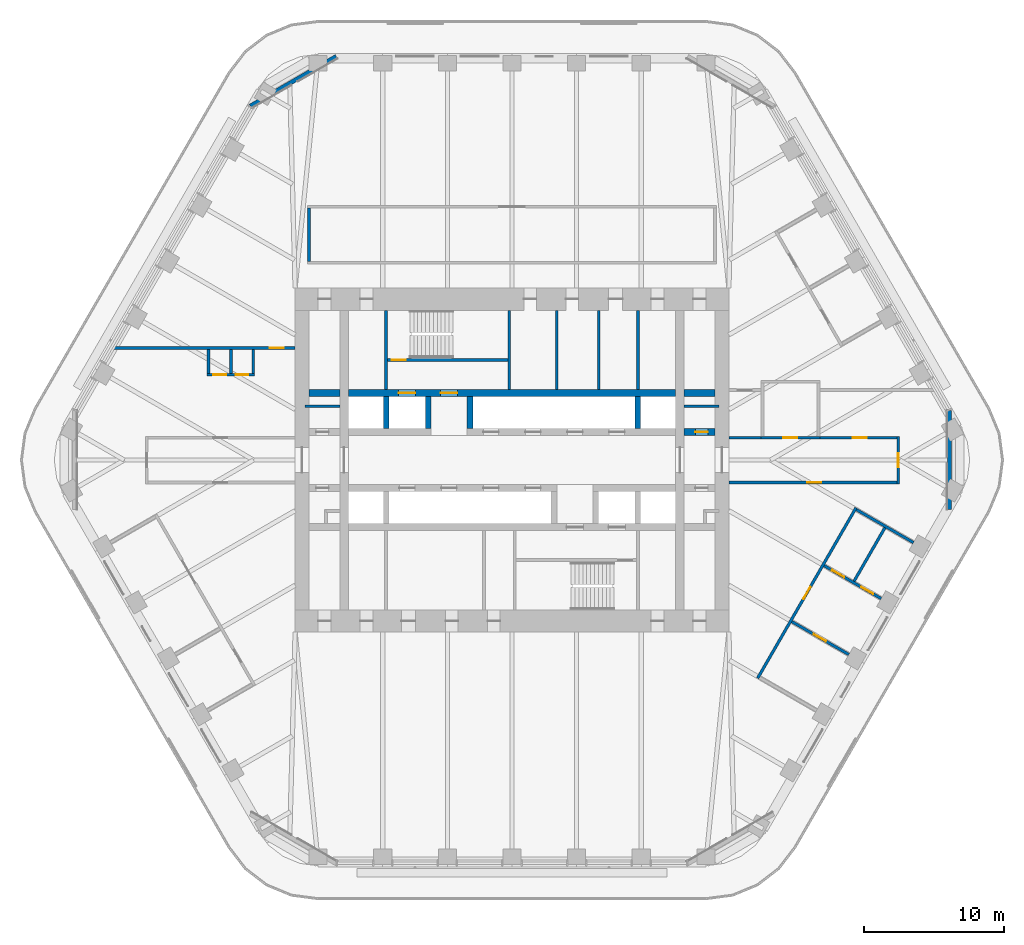
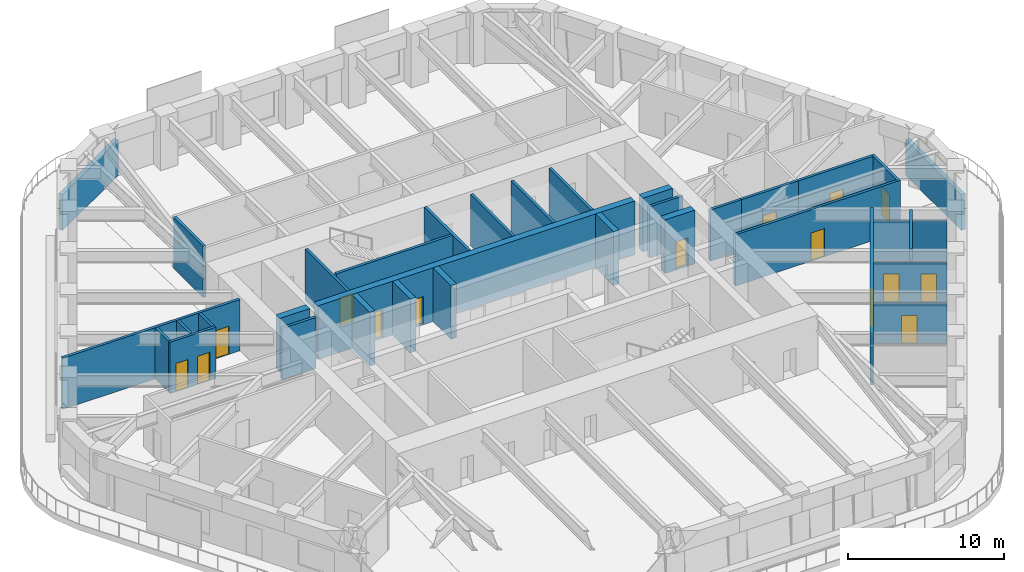
# One storey, part 16 of 20: 34 walls, 15 doors, 15 openings.
"""IFC4 building model written with IfcOpenShell, lengths in metres."""

from ifc_helpers import new_model, si_unit, direction, frame, frame_2d, origin, place, context, subcontext, project, spatial, rectangle, extrude, material, layer, layer_set, type_object, element, fill, save


model = new_model("IFC4")

# Units and contexts
model_context = context("Model", 3, precision=1e-05, world=origin(), true_north=direction((0.0, 1.0)))
body_context = subcontext(model_context, "Body", "Model", "MODEL_VIEW")
ifc_project = project(units=[si_unit("LENGTHUNIT", "METRE"), si_unit("AREAUNIT", "SQUARE_METRE"), si_unit("VOLUMEUNIT", "CUBIC_METRE"), si_unit("PLANEANGLEUNIT", "RADIAN"), si_unit("MASSUNIT", "GRAM", prefix="KILO")], contexts=[model_context])

# Site, building, storey
site_placement = place(None, origin())
site = spatial("IfcSite", under=ifc_project, at=site_placement, CompositionType="ELEMENT")
building_placement = place(site_placement, origin())
building = spatial("IfcBuilding", under=site, at=building_placement, Name="Tarfa Lantern Tower", CompositionType="ELEMENT")
storey_placement = place(building_placement, frame((0.0, 0.0, 249.10009765625)))
storey = spatial("IfcBuildingStorey", under=building, at=storey_placement, Name="L56", CompositionType="ELEMENT", Elevation=249.10009765625)

# Walls
ifc_material_1 = material(Name="Limestone cladding on blockwork", Category="masonry")
ifc_layer_1 = layer(ifc_material_1, 0.300048828125)
ifc_layer_set_1 = layer_set([ifc_layer_1], Name="EW1 STONE-CLAD WALL 300")
wall_type_1 = type_object("IfcWallType", Name="EW1 STONE-CLAD WALL 300", PredefinedType="SOLIDWALL", material=ifc_layer_set_1)
wall_1_placement = place(storey_placement, frame((-12.556396484375, 28.85009765625, 0.0), z_axis=(0.0, 0.0, 1.0), x_axis=(-0.866010973379, -0.500024993363, 0.0)))
element("IfcWall", 1, at=wall_1_placement, inside=storey, type_object=wall_type_1, Name="Garden wall N-NW", PredefinedType="SOLIDWALL", context=body_context, shape_type="SweptSolid", body=[
    extrude(rectangle(XDim=7.101806640625, YDim=0.300048828125, at=frame_2d((3.55078125, 0.0))), origin(), (0.0, 0.0, 1.0), 2.7998046875),
])
wall_2_placement = place(storey_placement, frame((31.262939453125, -3.55078125, 0.0), z_axis=(0.0, 0.0, 1.0), x_axis=(0.0, 1.0, 0.0)))
element("IfcWall", 2, at=wall_2_placement, inside=storey, type_object=wall_type_1, Name="Garden wall SE-NE", PredefinedType="SOLIDWALL", context=body_context, shape_type="SweptSolid", body=[
    extrude(rectangle(XDim=7.1015625, YDim=0.300048828125, at=frame_2d((3.55078125, 0.0))), origin(), (0.0, 0.0, 1.0), 2.7998046875),
])
ifc_material_2 = material(Name="Concrete blockwork", Category="masonry")
ifc_layer_2 = layer(ifc_material_2, 0.199951171875)
ifc_layer_set_2 = layer_set([ifc_layer_2], Name="IW1 BLOCKWORK PARTITION 200 EI 120")
wall_type_2 = type_object("IfcWallType", Name="IW1 BLOCKWORK PARTITION 200 EI 120", PredefinedType="PARTITIONING", material=ifc_layer_set_2)
for number, where, z_axis, x_axis, name in (
    (3, (-9.0, 5.050048828125, 0.0), (0.0, 0.0, 1.0), (0.0, 1.0, 0.0), "Core partition"),
    (4, (9.0, 5.050048828125, 0.0), (0.0, 0.0, 1.0), (0.0, 1.0, 0.0), "Core partition"),
    (5, (3.199951171875, 5.050048828125, 0.0), (0.0, 0.0, 1.0), (0.0, 1.0, 0.0), "Core partition"),
    (6, (6.199951171875, 5.050048828125, 0.0), (0.0, 0.0, 1.0), (0.0, 1.0, 0.0), "Core partition"),
):
    element("IfcWall", number, at=place(storey_placement, frame(where, z_axis=z_axis, x_axis=x_axis)), inside=storey, type_object=wall_type_2, Name=name, PredefinedType="PARTITIONING", context=body_context, shape_type="SweptSolid", body=[
        extrude(rectangle(XDim=5.64990234375, YDim=0.199951171875, at=frame_2d((2.824951171875, 0.0))), origin(), (0.0, 0.0, 1.0), 4.0),
    ])
for number, where, z_axis, x_axis, name in (
    (7, (-14.800048828125, 3.85009765625, 0.0), (0.0, 0.0, 1.0), (1.0, 0.0, 0.0), "Core partition"),
    (8, (12.300048828125, 3.85009765625, 0.0), (0.0, 0.0, 1.0), (1.0, 0.0, 0.0), "Core partition"),
):
    element("IfcWall", number, at=place(storey_placement, frame(where, z_axis=z_axis, x_axis=x_axis)), inside=storey, type_object=wall_type_2, Name=name, PredefinedType="PARTITIONING", context=body_context, shape_type="SweptSolid", body=[
        extrude(rectangle(XDim=2.5, YDim=0.199951171875, at=frame_2d((1.25, 0.0))), origin(), (0.0, 0.0, 1.0), 4.0),
    ])
ifc_material_3 = material(Name="Gypsum board on steel studs", Category="steel")
ifc_layer_3 = layer(ifc_material_3, 0.2099609375)
ifc_layer_set_3 = layer_set([ifc_layer_3], Name="IW2 ACOUSTIC PARTITION 200")
wall_type_3 = type_object("IfcWallType", Name="IW2 ACOUSTIC PARTITION 200", PredefinedType="PARTITIONING", material=ifc_layer_set_3)
wall_3_placement = place(storey_placement, frame((-14.5, 14.199951171875, 0.0), z_axis=(0.0, 0.0, 1.0), x_axis=(0.0, 1.0, 0.0)))
element("IfcWall", 9, at=wall_3_placement, inside=storey, type_object=wall_type_3, Name="Partition", PredefinedType="PARTITIONING", context=body_context, shape_type="SweptSolid", body=[
    extrude(rectangle(XDim=3.800048828125, YDim=0.199951171875, at=frame_2d((1.89990234375, 0.0))), origin(), (0.0, 0.0, 1.0), 4.0),
])

# Wall, opening, door
wall_4_placement = place(storey_placement, frame((17.55908203125, -15.586669921875, 0.0), z_axis=(0.0, 0.0, 1.0), x_axis=(0.500002095642, 0.866024193862, 0.0)))
wall_4 = element("IfcWall", 10, at=wall_4_placement, inside=storey, type_object=wall_type_3, Name="Partition", PredefinedType="PARTITIONING", context=body_context, shape_type="SweptSolid", body=[
    extrude(rectangle(XDim=14.056640625, YDim=0.199951171875, at=frame_2d((7.0283203125, 0.0))), origin(), (0.0, 0.0, 1.0), 4.0),
])
opening_1_placement = place(wall_4_placement, frame((6.5283203125, 0.0, 0.0)))
opening_1 = element("IfcOpeningElement", 11, at=opening_1_placement, cuts=wall_4, Name="Opening D31", PredefinedType="OPENING", context=body_context, shape_type="SweptSolid", body=[
    extrude(rectangle(XDim=1.0, YDim=2.199951171875, at=frame_2d((0.5, 1.10009765625))), frame((0.0, 0.10986328125, 0.0), z_axis=(0.0, -1.0, 0.0), x_axis=(1.0, 0.0, 0.0)), (0.0, 0.0, 1.0), 0.219970703125),
])
ifc_material_4 = material(Name="Timber door", Category="wood")
door_type_1 = type_object("IfcDoorType", Name="DR1 ROOM DOOR 1000x2200", OperationType="SINGLE_SWING_LEFT", PredefinedType="DOOR", material=ifc_material_4)
door_1_placement = place(opening_1_placement, frame((1.0, 0.0, 0.0), z_axis=(0.0, 0.0, 1.0), x_axis=(-1.0, 0.0, 0.0)))
door_1 = element("IfcDoor", 12, at=door_1_placement, inside=storey, type_object=door_type_1, Name="Secretariat reception door", OperationType="SINGLE_SWING_RIGHT", OverallHeight=2.199951171875, OverallWidth=1.0, PredefinedType="DOOR", context=body_context, shape_type="SweptSolid", body=[
    extrude(rectangle(XDim=1.0, YDim=2.199951171875, at=frame_2d((0.5, 1.10009765625))), frame((0.0, 0.02490234375, 0.0), z_axis=(0.0, -1.0, 0.0), x_axis=(1.0, 0.0, 0.0)), (0.0, 0.0, 1.0), 0.050048828125),
])
fill(opening_1, door_1)

wall_5_placement = place(storey_placement, frame((20.005126953125, -11.550048828125, 0.0), z_axis=(0.0, 0.0, 1.0), x_axis=(0.866038532462, -0.499977259774, 0.0)))
wall_5 = element("IfcWall", 13, at=wall_5_placement, inside=storey, type_object=wall_type_3, Name="Partition", PredefinedType="PARTITIONING", context=body_context, shape_type="SweptSolid", body=[
    extrude(rectangle(XDim=4.699951171875, YDim=0.199951171875, at=frame_2d((2.35009765625, 0.0))), origin(), (0.0, 0.0, 1.0), 3.08154296875),
])
opening_2_placement = place(wall_5_placement, frame((1.800048828125, 0.0, 0.0)))
opening_2 = element("IfcOpeningElement", 14, at=opening_2_placement, cuts=wall_5, Name="Opening D30", PredefinedType="OPENING", context=body_context, shape_type="SweptSolid", body=[
    extrude(rectangle(XDim=1.0, YDim=2.199951171875, at=frame_2d((0.5, 1.10009765625))), frame((0.0, 0.10986328125, 0.0), z_axis=(0.0, -1.0, 0.0), x_axis=(1.0, 0.0, 0.0)), (0.0, 0.0, 1.0), 0.219970703125),
])
door_2_placement = place(opening_2_placement, origin())
door_2 = element("IfcDoor", 15, at=door_2_placement, inside=storey, type_object=door_type_1, Name="Company secretary's office door", OperationType="SINGLE_SWING_RIGHT", OverallHeight=2.199951171875, OverallWidth=1.0, PredefinedType="DOOR", context=body_context, shape_type="SweptSolid", body=[
    extrude(rectangle(XDim=1.0, YDim=2.199951171875, at=frame_2d((0.5, 1.10009765625))), frame((0.0, 0.02490234375, 0.0), z_axis=(0.0, -1.0, 0.0), x_axis=(1.0, 0.0, 0.0)), (0.0, 0.0, 1.0), 0.050048828125),
])
fill(opening_2, door_2)

# Wall, openings, doors
wall_6_placement = place(storey_placement, frame((22.314697265625, -7.550048828125, 0.0), z_axis=(0.0, 0.0, 1.0), x_axis=(0.866038532462, -0.499977259774, 0.0)))
wall_6 = element("IfcWall", 16, at=wall_6_placement, inside=storey, type_object=wall_type_3, Name="Partition", PredefinedType="PARTITIONING", context=body_context, shape_type="SweptSolid", body=[
    extrude(rectangle(XDim=4.699951171875, YDim=0.199951171875, at=frame_2d((2.35009765625, 0.0))), origin(), (0.0, 0.0, 1.0), 3.08154296875),
])
opening_3_placement = place(wall_6_placement, frame((0.64990234375, 0.0, 0.0)))
opening_3 = element("IfcOpeningElement", 17, at=opening_3_placement, cuts=wall_6, Name="Opening D32", PredefinedType="OPENING", context=body_context, shape_type="SweptSolid", body=[
    extrude(rectangle(XDim=1.0, YDim=2.199951171875, at=frame_2d((0.5, 1.10009765625))), frame((0.0, 0.10986328125, 0.0), z_axis=(0.0, -1.0, 0.0), x_axis=(1.0, 0.0, 0.0)), (0.0, 0.0, 1.0), 0.219970703125),
])
opening_4_placement = place(wall_6_placement, frame((3.050048828125, 0.0, 0.0)))
opening_4 = element("IfcOpeningElement", 18, at=opening_4_placement, cuts=wall_6, Name="Opening D33", PredefinedType="OPENING", context=body_context, shape_type="SweptSolid", body=[
    extrude(rectangle(XDim=1.0, YDim=2.199951171875, at=frame_2d((0.5, 1.10009765625))), frame((0.0, 0.10986328125, 0.0), z_axis=(0.0, -1.0, 0.0), x_axis=(1.0, 0.0, 0.0)), (0.0, 0.0, 1.0), 0.219970703125),
])
door_3_placement = place(opening_3_placement, origin())
door_3 = element("IfcDoor", 19, at=door_3_placement, inside=storey, type_object=door_type_1, Name="Meeting room door", OperationType="SINGLE_SWING_RIGHT", OverallHeight=2.199951171875, OverallWidth=1.0, PredefinedType="DOOR", context=body_context, shape_type="SweptSolid", body=[
    extrude(rectangle(XDim=1.0, YDim=2.199951171875, at=frame_2d((0.5, 1.10009765625))), frame((0.0, 0.02490234375, 0.0), z_axis=(0.0, -1.0, 0.0), x_axis=(1.0, 0.0, 0.0)), (0.0, 0.0, 1.0), 0.050048828125),
])
fill(opening_3, door_3)
door_4_placement = place(opening_4_placement, origin())
door_4 = element("IfcDoor", 20, at=door_4_placement, inside=storey, type_object=door_type_1, Name="File room door", OperationType="SINGLE_SWING_RIGHT", OverallHeight=2.199951171875, OverallWidth=1.0, PredefinedType="DOOR", context=body_context, shape_type="SweptSolid", body=[
    extrude(rectangle(XDim=1.0, YDim=2.199951171875, at=frame_2d((0.5, 1.10009765625))), frame((0.0, 0.02490234375, 0.0), z_axis=(0.0, -1.0, 0.0), x_axis=(1.0, 0.0, 0.0)), (0.0, 0.0, 1.0), 0.050048828125),
])
fill(opening_4, door_4)

# Walls
wall_7_placement = place(storey_placement, frame((24.6240234375, -3.550048828125, 0.0), z_axis=(0.0, 0.0, 1.0), x_axis=(0.866038532462, -0.499977259774, 0.0)))
element("IfcWall", 21, at=wall_7_placement, inside=storey, type_object=wall_type_3, Name="Partition", PredefinedType="PARTITIONING", context=body_context, shape_type="SweptSolid", body=[
    extrude(rectangle(XDim=4.699951171875, YDim=0.199951171875, at=frame_2d((2.35009765625, 0.0))), origin(), (0.0, 0.0, 1.0), 3.08154296875),
])
wall_8_placement = place(storey_placement, frame((24.443115234375, -8.663330078125, 0.0), z_axis=(0.0, 0.0, 1.0), x_axis=(0.499983916363, 0.866034689477, 0.0)))
element("IfcWall", 22, at=wall_8_placement, inside=storey, type_object=wall_type_3, Name="Partition", PredefinedType="PARTITIONING", context=body_context, shape_type="SweptSolid", body=[
    extrude(rectangle(XDim=4.418701171875, YDim=0.199951171875, at=frame_2d((2.20947265625, 0.0))), origin(), (0.0, 0.0, 1.0), 4.0),
])

# Wall, opening, door
wall_9_placement = place(storey_placement, frame((17.800048828125, 1.60009765625, 0.0), z_axis=(0.0, 0.0, 1.0), x_axis=(1.0, 0.0, 0.0)))
wall_9 = element("IfcWall", 23, at=wall_9_placement, inside=storey, type_object=wall_type_3, Name="Partition", PredefinedType="PARTITIONING", context=body_context, shape_type="SweptSolid", body=[
    extrude(rectangle(XDim=4.199951171875, YDim=0.199951171875, at=frame_2d((2.10009765625, 0.0))), origin(), (0.0, 0.0, 1.0), 4.0),
])
opening_5_placement = place(wall_9_placement, frame((1.60009765625, 0.0, 0.0)))
opening_5 = element("IfcOpeningElement", 24, at=opening_5_placement, cuts=wall_9, Name="Opening D27", PredefinedType="OPENING", context=body_context, shape_type="SweptSolid", body=[
    extrude(rectangle(XDim=1.0, YDim=2.199951171875, at=frame_2d((0.5, 1.10009765625))), frame((0.0, 0.10986328125, 0.0), z_axis=(0.0, -1.0, 0.0), x_axis=(1.0, 0.0, 0.0)), (0.0, 0.0, 1.0), 0.219970703125),
])
door_5_placement = place(opening_5_placement, origin())
door_5 = element("IfcDoor", 25, at=door_5_placement, inside=storey, type_object=door_type_1, Name="Pantry door", OperationType="SINGLE_SWING_LEFT", OverallHeight=2.199951171875, OverallWidth=1.0, PredefinedType="DOOR", context=body_context, shape_type="SweptSolid", body=[
    extrude(rectangle(XDim=1.0, YDim=2.199951171875, at=frame_2d((0.5, 1.10009765625))), frame((0.0, 0.02490234375, 0.0), z_axis=(0.0, -1.0, 0.0), x_axis=(1.0, 0.0, 0.0)), (0.0, 0.0, 1.0), 0.050048828125),
])
fill(opening_5, door_5)

# Wall
wall_10_placement = place(storey_placement, frame((15.5, 1.60009765625, 0.0), z_axis=(0.0, 0.0, 1.0), x_axis=(1.0, 0.0, 0.0)))
element("IfcWall", 26, at=wall_10_placement, inside=storey, type_object=wall_type_3, Name="Partition", PredefinedType="PARTITIONING", context=body_context, shape_type="SweptSolid", body=[
    extrude(rectangle(XDim=2.300048828125, YDim=0.199951171875, at=frame_2d((1.14990234375, 0.0))), origin(), (0.0, 0.0, 1.0), 4.0),
])

# Wall, opening, door
wall_11_placement = place(storey_placement, frame((22.0, 1.60009765625, 0.0), z_axis=(0.0, 0.0, 1.0), x_axis=(1.0, 0.0, 0.0)))
wall_11 = element("IfcWall", 27, at=wall_11_placement, inside=storey, type_object=wall_type_3, Name="Partition", PredefinedType="PARTITIONING", context=body_context, shape_type="SweptSolid", body=[
    extrude(rectangle(XDim=5.699951171875, YDim=0.199951171875, at=frame_2d((2.85009765625, 0.0))), origin(), (0.0, 0.0, 1.0), 4.0),
])
opening_6_placement = place(wall_11_placement, frame((2.35009765625, 0.0, 0.0)))
opening_6 = element("IfcOpeningElement", 28, at=opening_6_placement, cuts=wall_11, Name="Opening D40", PredefinedType="OPENING", context=body_context, shape_type="SweptSolid", body=[
    extrude(rectangle(XDim=1.0, YDim=2.199951171875, at=frame_2d((0.5, 1.10009765625))), frame((0.0, 0.10986328125, 0.0), z_axis=(0.0, -1.0, 0.0), x_axis=(1.0, 0.0, 0.0)), (0.0, 0.0, 1.0), 0.219970703125),
])
door_6_placement = place(opening_6_placement, origin())
door_6 = element("IfcDoor", 29, at=door_6_placement, inside=storey, type_object=door_type_1, Name="Corridor door", OperationType="SINGLE_SWING_RIGHT", OverallHeight=2.199951171875, OverallWidth=1.0, PredefinedType="DOOR", context=body_context, shape_type="SweptSolid", body=[
    extrude(rectangle(XDim=1.0, YDim=2.199951171875, at=frame_2d((0.5, 1.10009765625))), frame((0.0, 0.02490234375, 0.0), z_axis=(0.0, -1.0, 0.0), x_axis=(1.0, 0.0, 0.0)), (0.0, 0.0, 1.0), 0.050048828125),
])
fill(opening_6, door_6)

wall_12_placement = place(storey_placement, frame((15.5, -1.60009765625, 0.0), z_axis=(0.0, 0.0, 1.0), x_axis=(1.0, 0.0, 0.0)))
wall_12 = element("IfcWall", 30, at=wall_12_placement, inside=storey, type_object=wall_type_3, Name="Partition", PredefinedType="PARTITIONING", context=body_context, shape_type="SweptSolid", body=[
    extrude(rectangle(XDim=12.199951171875, YDim=0.199951171875, at=frame_2d((6.10009765625, 0.0))), origin(), (0.0, 0.0, 1.0), 4.0),
])
opening_7_placement = place(wall_12_placement, frame((5.60009765625, 0.0, 0.0)))
opening_7 = element("IfcOpeningElement", 31, at=opening_7_placement, cuts=wall_12, Name="Opening D41", PredefinedType="OPENING", context=body_context, shape_type="SweptSolid", body=[
    extrude(rectangle(XDim=1.0, YDim=2.199951171875, at=frame_2d((0.5, 1.10009765625))), frame((0.0, 0.10986328125, 0.0), z_axis=(0.0, -1.0, 0.0), x_axis=(1.0, 0.0, 0.0)), (0.0, 0.0, 1.0), 0.219970703125),
])
door_7_placement = place(opening_7_placement, frame((1.0, 0.0, 0.0), z_axis=(0.0, 0.0, 1.0), x_axis=(-1.0, 0.0, 0.0)))
door_7 = element("IfcDoor", 32, at=door_7_placement, inside=storey, type_object=door_type_1, Name="Corridor door", OperationType="SINGLE_SWING_LEFT", OverallHeight=2.199951171875, OverallWidth=1.0, PredefinedType="DOOR", context=body_context, shape_type="SweptSolid", body=[
    extrude(rectangle(XDim=1.0, YDim=2.199951171875, at=frame_2d((0.5, 1.10009765625))), frame((0.0, 0.02490234375, 0.0), z_axis=(0.0, -1.0, 0.0), x_axis=(1.0, 0.0, 0.0)), (0.0, 0.0, 1.0), 0.050048828125),
])
fill(opening_7, door_7)

wall_13_placement = place(storey_placement, frame((27.60009765625, -1.699951171875, 0.0), z_axis=(0.0, 0.0, 1.0), x_axis=(0.0, 1.0, 0.0)))
wall_13 = element("IfcWall", 33, at=wall_13_placement, inside=storey, type_object=wall_type_3, Name="Partition", PredefinedType="PARTITIONING", context=body_context, shape_type="SweptSolid", body=[
    extrude(rectangle(XDim=3.39990234375, YDim=0.199951171875, at=frame_2d((1.699951171875, 0.0))), origin(), (0.0, 0.0, 1.0), 4.0),
])
opening_8_placement = place(wall_13_placement, frame((1.199951171875, 0.0, 0.0)))
opening_8 = element("IfcOpeningElement", 34, at=opening_8_placement, cuts=wall_13, Name="Opening D39", PredefinedType="OPENING", context=body_context, shape_type="SweptSolid", body=[
    extrude(rectangle(XDim=1.0, YDim=2.199951171875, at=frame_2d((0.5, 1.10009765625))), frame((0.0, 0.10986328125, 0.0), z_axis=(0.0, -1.0, 0.0), x_axis=(1.0, 0.0, 0.0)), (0.0, 0.0, 1.0), 0.219970703125),
])
door_8_placement = place(opening_8_placement, frame((1.0, 0.0, 0.0), z_axis=(0.0, 0.0, 1.0), x_axis=(-1.0, 0.0, 0.0)))
door_8 = element("IfcDoor", 35, at=door_8_placement, inside=storey, type_object=door_type_1, Name="Corridor door", OperationType="SINGLE_SWING_LEFT", OverallHeight=2.199951171875, OverallWidth=1.0, PredefinedType="DOOR", context=body_context, shape_type="SweptSolid", body=[
    extrude(rectangle(XDim=1.0, YDim=2.199951171875, at=frame_2d((0.5, 1.10009765625))), frame((0.0, 0.02490234375, 0.0), z_axis=(0.0, -1.0, 0.0), x_axis=(1.0, 0.0, 0.0)), (0.0, 0.0, 1.0), 0.050048828125),
])
fill(opening_8, door_8)

wall_14_placement = place(storey_placement, frame((-15.5, 8.0, 0.0), z_axis=(0.0, 0.0, 1.0), x_axis=(-1.0, 0.0, 0.0)))
wall_14 = element("IfcWall", 36, at=wall_14_placement, inside=storey, type_object=wall_type_3, Name="Partition", PredefinedType="PARTITIONING", context=body_context, shape_type="SweptSolid", body=[
    extrude(rectangle(XDim=13.11328125, YDim=0.199951171875, at=frame_2d((6.556640625, 0.0))), origin(), (0.0, 0.0, 1.0), 4.0),
])
opening_9_placement = place(wall_14_placement, frame((0.811279296875, 0.0, 0.0)))
opening_9 = element("IfcOpeningElement", 37, at=opening_9_placement, cuts=wall_14, Name="Opening D46", PredefinedType="OPENING", context=body_context, shape_type="SweptSolid", body=[
    extrude(rectangle(XDim=1.0, YDim=2.199951171875, at=frame_2d((0.5, 1.10009765625))), frame((0.0, 0.10986328125, 0.0), z_axis=(0.0, -1.0, 0.0), x_axis=(1.0, 0.0, 0.0)), (0.0, 0.0, 1.0), 0.219970703125),
])
door_9_placement = place(opening_9_placement, frame((1.0, 0.0, 0.0), z_axis=(0.0, 0.0, 1.0), x_axis=(-1.0, 0.0, 0.0)))
door_9 = element("IfcDoor", 38, at=door_9_placement, inside=storey, type_object=door_type_1, Name="Zone door", OperationType="SINGLE_SWING_LEFT", OverallHeight=2.199951171875, OverallWidth=1.0, PredefinedType="DOOR", context=body_context, shape_type="SweptSolid", body=[
    extrude(rectangle(XDim=1.0, YDim=2.199951171875, at=frame_2d((0.5, 1.10009765625))), frame((0.0, 0.02490234375, 0.0), z_axis=(0.0, -1.0, 0.0), x_axis=(1.0, 0.0, 0.0)), (0.0, 0.0, 1.0), 0.050048828125),
])
fill(opening_9, door_9)

# Wall, openings, doors
wall_15_placement = place(storey_placement, frame((-18.3896484375, 6.10009765625, 0.0), z_axis=(0.0, 0.0, 1.0), x_axis=(-1.0, 0.0, 0.0)))
wall_15 = element("IfcWall", 39, at=wall_15_placement, inside=storey, type_object=wall_type_3, Name="Partition", PredefinedType="PARTITIONING", context=body_context, shape_type="SweptSolid", body=[
    extrude(rectangle(XDim=3.400146484375, YDim=0.199951171875, at=frame_2d((1.7001953125, 0.0))), origin(), (0.0, 0.0, 1.0), 4.0),
])
opening_10_placement = place(wall_15_placement, frame((0.449951171875, 0.0, 0.0)))
opening_10 = element("IfcOpeningElement", 40, at=opening_10_placement, cuts=wall_15, Name="Opening D37", PredefinedType="OPENING", context=body_context, shape_type="SweptSolid", body=[
    extrude(rectangle(XDim=0.89990234375, YDim=2.199951171875, at=frame_2d((0.449951171875, 1.10009765625))), frame((0.0, 0.10986328125, 0.0), z_axis=(0.0, -1.0, 0.0), x_axis=(1.0, 0.0, 0.0)), (0.0, 0.0, 1.0), 0.219970703125),
])
opening_11_placement = place(wall_15_placement, frame((2.050048828125, 0.0, 0.0)))
opening_11 = element("IfcOpeningElement", 41, at=opening_11_placement, cuts=wall_15, Name="Opening D38", PredefinedType="OPENING", context=body_context, shape_type="SweptSolid", body=[
    extrude(rectangle(XDim=0.89990234375, YDim=2.199951171875, at=frame_2d((0.449951171875, 1.10009765625))), frame((0.0, 0.10986328125, 0.0), z_axis=(0.0, -1.0, 0.0), x_axis=(1.0, 0.0, 0.0)), (0.0, 0.0, 1.0), 0.219970703125),
])
door_type_2 = type_object("IfcDoorType", Name="DR3 ROOM DOOR 900x2200", OperationType="SINGLE_SWING_LEFT", PredefinedType="DOOR", material=ifc_material_4)
door_10_placement = place(opening_10_placement, frame((0.89990234375, 0.0, 0.0), z_axis=(0.0, 0.0, 1.0), x_axis=(-1.0, 0.0, 0.0)))
door_10 = element("IfcDoor", 42, at=door_10_placement, inside=storey, type_object=door_type_2, Name="Phone booth door", OperationType="SINGLE_SWING_LEFT", OverallHeight=2.199951171875, OverallWidth=0.89990234375, PredefinedType="DOOR", context=body_context, shape_type="SweptSolid", body=[
    extrude(rectangle(XDim=0.89990234375, YDim=2.199951171875, at=frame_2d((0.449951171875, 1.10009765625))), frame((0.0, 0.02490234375, 0.0), z_axis=(0.0, -1.0, 0.0), x_axis=(1.0, 0.0, 0.0)), (0.0, 0.0, 1.0), 0.050048828125),
])
fill(opening_10, door_10)
door_11_placement = place(opening_11_placement, frame((0.89990234375, 0.0, 0.0), z_axis=(0.0, 0.0, 1.0), x_axis=(-1.0, 0.0, 0.0)))
door_11 = element("IfcDoor", 43, at=door_11_placement, inside=storey, type_object=door_type_2, Name="Phone booth door", OperationType="SINGLE_SWING_RIGHT", OverallHeight=2.199951171875, OverallWidth=0.89990234375, PredefinedType="DOOR", context=body_context, shape_type="SweptSolid", body=[
    extrude(rectangle(XDim=0.89990234375, YDim=2.199951171875, at=frame_2d((0.449951171875, 1.10009765625))), frame((0.0, 0.02490234375, 0.0), z_axis=(0.0, -1.0, 0.0), x_axis=(1.0, 0.0, 0.0)), (0.0, 0.0, 1.0), 0.050048828125),
])
fill(opening_11, door_11)

# Walls
for number, where, z_axis, x_axis, name in (
    (44, (-18.48974609375, 7.89990234375, 0.0), (0.0, 0.0, 1.0), (0.0, -1.0, 0.0), "Partition"),
    (45, (-20.089599609375, 7.89990234375, 0.0), (0.0, 0.0, 1.0), (0.0, -1.0, 0.0), "Partition"),
    (46, (-21.689697265625, 7.89990234375, 0.0), (0.0, 0.0, 1.0), (0.0, -1.0, 0.0), "Partition"),
):
    element("IfcWall", number, at=place(storey_placement, frame(where, z_axis=z_axis, x_axis=x_axis)), inside=storey, type_object=wall_type_3, Name=name, PredefinedType="PARTITIONING", context=body_context, shape_type="SweptSolid", body=[
        extrude(rectangle(XDim=1.699951171875, YDim=0.199951171875, at=frame_2d((0.85009765625, 0.0))), origin(), (0.0, 0.0, 1.0), 4.0),
    ])
ifc_material_5 = material(Name="Concrete C80/95", Category="concrete")
ifc_layer_4 = layer(ifc_material_5, 0.199951171875)
ifc_layer_set_4 = layer_set([ifc_layer_4], Name="SW12 CORE WALL 200")
wall_type_4 = type_object("IfcWallType", Name="SW12 CORE WALL 200", PredefinedType="SHEAR", material=ifc_layer_set_4)
wall_16_placement = place(storey_placement, frame((-0.199951171875, 5.050048828125, 0.0), z_axis=(0.0, 0.0, 1.0), x_axis=(0.0, 1.0, 0.0)))
element("IfcWall", 47, at=wall_16_placement, inside=storey, type_object=wall_type_4, Name="Core wall stair shaft N", PredefinedType="SHEAR", context=body_context, shape_type="SweptSolid", body=[
    extrude(rectangle(XDim=5.64990234375, YDim=0.199951171875, at=frame_2d((2.824951171875, 0.0))), origin(), (0.0, 0.0, 1.0), 4.199951171875),
])

# Wall, opening, door
wall_17_placement = place(storey_placement, frame((-8.89990234375, 7.14990234375, 0.0), z_axis=(0.0, 0.0, 1.0), x_axis=(1.0, 0.0, 0.0)))
wall_17 = element("IfcWall", 48, at=wall_17_placement, inside=storey, type_object=wall_type_4, Name="Core wall stair partition N", PredefinedType="SHEAR", context=body_context, shape_type="SweptSolid", body=[
    extrude(rectangle(XDim=8.599853515625, YDim=0.199951171875, at=frame_2d((4.2998046875, 0.0))), origin(), (0.0, 0.0, 1.0), 4.199951171875),
])
opening_12_placement = place(wall_17_placement, frame((0.300048828125, 0.0, 0.0)))
opening_12 = element("IfcOpeningElement", 49, at=opening_12_placement, cuts=wall_17, Name="Opening D23", PredefinedType="OPENING", context=body_context, shape_type="SweptSolid", body=[
    extrude(rectangle(XDim=1.0, YDim=2.199951171875, at=frame_2d((0.5, 1.10009765625))), frame((0.0, 0.10986328125, 0.0), z_axis=(0.0, -1.0, 0.0), x_axis=(1.0, 0.0, 0.0)), (0.0, 0.0, 1.0), 0.219970703125),
])
ifc_material_6 = material(Name="Steel fire door", Category="steel")
door_type_3 = type_object("IfcDoorType", Name="DF2 STAIR DOOR 1000x2200", OperationType="SINGLE_SWING_LEFT", PredefinedType="DOOR", material=ifc_material_6)
door_12_placement = place(opening_12_placement, origin())
door_12 = element("IfcDoor", 50, at=door_12_placement, inside=storey, type_object=door_type_3, Name="Stair door", OperationType="SINGLE_SWING_RIGHT", OverallHeight=2.199951171875, OverallWidth=1.0, PredefinedType="DOOR", context=body_context, shape_type="SweptSolid", body=[
    extrude(rectangle(XDim=1.0, YDim=2.199951171875, at=frame_2d((0.5, 1.10009765625))), frame((0.0, 0.02490234375, 0.0), z_axis=(0.0, -1.0, 0.0), x_axis=(1.0, 0.0, 0.0)), (0.0, 0.0, 1.0), 0.050048828125),
])
fill(opening_12, door_12)

ifc_layer_5 = layer(ifc_material_5, 0.5)
ifc_layer_set_5 = layer_set([ifc_layer_5], Name="SW5 CORE WALL 500")
wall_type_5 = type_object("IfcWallType", Name="SW5 CORE WALL 500", PredefinedType="SHEAR", material=ifc_layer_set_5)
wall_18_placement = place(storey_placement, frame((12.300048828125, 2.0, 0.0), z_axis=(0.0, 0.0, 1.0), x_axis=(1.0, 0.0, 0.0)))
wall_18 = element("IfcWall", 51, at=wall_18_placement, inside=storey, type_object=wall_type_5, Name="Core wall lobby east N", PredefinedType="SHEAR", context=body_context, shape_type="SweptSolid", body=[
    extrude(rectangle(XDim=2.199951171875, YDim=0.5, at=frame_2d((1.10009765625, 0.0))), origin(), (0.0, 0.0, 1.0), 4.199951171875),
])
opening_13_placement = place(wall_18_placement, frame((0.800048828125, 0.0, 0.0)))
opening_13 = element("IfcOpeningElement", 52, at=opening_13_placement, cuts=wall_18, Name="Opening D13", PredefinedType="OPENING", context=body_context, shape_type="SweptSolid", body=[
    extrude(rectangle(XDim=0.89990234375, YDim=2.199951171875, at=frame_2d((0.449951171875, 1.10009765625))), frame((0.0, 0.260009765625, 0.0), z_axis=(0.0, -1.0, 0.0), x_axis=(1.0, 0.0, 0.0)), (0.0, 0.0, 1.0), 0.52001953125),
])
door_type_4 = type_object("IfcDoorType", Name="DF6 SERVICE ROOM DOOR 900x2200", OperationType="SINGLE_SWING_LEFT", PredefinedType="DOOR", material=ifc_material_6)
door_13_placement = place(opening_13_placement, origin())
door_13 = element("IfcDoor", 53, at=door_13_placement, inside=storey, type_object=door_type_4, Name="Service room door", OperationType="SINGLE_SWING_LEFT", OverallHeight=2.199951171875, OverallWidth=0.89990234375, PredefinedType="DOOR", context=body_context, shape_type="SweptSolid", body=[
    extrude(rectangle(XDim=0.89990234375, YDim=2.199951171875, at=frame_2d((0.449951171875, 1.10009765625))), frame((0.0, 0.02490234375, 0.0), z_axis=(0.0, -1.0, 0.0), x_axis=(1.0, 0.0, 0.0)), (0.0, 0.0, 1.0), 0.050048828125),
])
fill(opening_13, door_13)

# Wall
wall_19_placement = place(storey_placement, frame((-14.5, 4.800048828125, 0.0), z_axis=(0.0, 0.0, 1.0), x_axis=(1.0, 0.0, 0.0)))
element("IfcWall", 54, at=wall_19_placement, inside=storey, type_object=wall_type_5, Name="Core wall rear N", PredefinedType="SHEAR", context=body_context, shape_type="SweptSolid", body=[
    extrude(rectangle(XDim=2.199951171875, YDim=0.5, at=frame_2d((1.10009765625, 0.0))), origin(), (0.0, 0.0, 1.0), 4.199951171875),
])

# Wall, openings, doors
wall_20_placement = place(storey_placement, frame((-11.699951171875, 4.800048828125, 0.0), z_axis=(0.0, 0.0, 1.0), x_axis=(1.0, 0.0, 0.0)))
wall_20 = element("IfcWall", 55, at=wall_20_placement, inside=storey, type_object=wall_type_5, Name="Core wall rear N", PredefinedType="SHEAR", context=body_context, shape_type="SweptSolid", body=[
    extrude(rectangle(XDim=23.39990234375, YDim=0.5, at=frame_2d((11.699951171875, 0.0))), origin(), (0.0, 0.0, 1.0), 4.199951171875),
])
opening_14_placement = place(wall_20_placement, frame((6.60009765625, 0.0, 0.0)))
opening_14 = element("IfcOpeningElement", 56, at=opening_14_placement, cuts=wall_20, Name="Opening D09", PredefinedType="OPENING", context=body_context, shape_type="SweptSolid", body=[
    extrude(rectangle(XDim=1.199951171875, YDim=2.199951171875, at=frame_2d((0.60009765625, 1.10009765625))), frame((0.0, 0.260009765625, 0.0), z_axis=(0.0, -1.0, 0.0), x_axis=(1.0, 0.0, 0.0)), (0.0, 0.0, 1.0), 0.52001953125),
])
opening_15_placement = place(wall_20_placement, frame((3.60009765625, 0.0, 0.0)))
opening_15 = element("IfcOpeningElement", 57, at=opening_15_placement, cuts=wall_20, Name="Opening LD01", PredefinedType="OPENING", context=body_context, shape_type="SweptSolid", body=[
    extrude(rectangle(XDim=1.199951171875, YDim=2.199951171875, at=frame_2d((0.60009765625, 1.10009765625))), frame((0.0, 0.260009765625, 0.0), z_axis=(0.0, -1.0, 0.0), x_axis=(1.0, 0.0, 0.0)), (0.0, 0.0, 1.0), 0.52001953125),
])
door_type_5 = type_object("IfcDoorType", Name="DF1 FIREFIGHTING LOBBY DOOR 1200x2200", OperationType="SINGLE_SWING_LEFT", PredefinedType="DOOR", material=ifc_material_6)
door_14_placement = place(opening_14_placement, origin())
door_14 = element("IfcDoor", 58, at=door_14_placement, inside=storey, type_object=door_type_5, Name="Firefighting lobby door", OperationType="SINGLE_SWING_LEFT", OverallHeight=2.199951171875, OverallWidth=1.199951171875, PredefinedType="DOOR", context=body_context, shape_type="SweptSolid", body=[
    extrude(rectangle(XDim=1.199951171875, YDim=2.199951171875, at=frame_2d((0.60009765625, 1.10009765625))), frame((0.0, 0.02490234375, 0.0), z_axis=(0.0, -1.0, 0.0), x_axis=(1.0, 0.0, 0.0)), (0.0, 0.0, 1.0), 0.050048828125),
])
fill(opening_14, door_14)
ifc_material_7 = material(Name="Stainless steel lift door", Category="steel")
door_type_6 = type_object("IfcDoorType", Name="LD1 LIFT LANDING DOOR 1200x2200", OperationType="SLIDING_TO_LEFT", PredefinedType="DOOR", material=ifc_material_7)
door_15_placement = place(opening_15_placement, origin())
door_15 = element("IfcDoor", 59, at=door_15_placement, inside=storey, type_object=door_type_6, Name="Landing door FL1", OperationType="SLIDING_TO_LEFT", OverallHeight=2.199951171875, OverallWidth=1.199951171875, PredefinedType="DOOR", context=body_context, shape_type="SweptSolid", body=[
    extrude(rectangle(XDim=1.199951171875, YDim=2.199951171875, at=frame_2d((0.60009765625, 1.10009765625))), frame((0.0, 0.02490234375, 0.0), z_axis=(0.0, -1.0, 0.0), x_axis=(1.0, 0.0, 0.0)), (0.0, 0.0, 1.0), 0.050048828125),
])
fill(opening_15, door_15)

# Walls
wall_21_placement = place(storey_placement, frame((12.300048828125, 4.800048828125, 0.0), z_axis=(0.0, 0.0, 1.0), x_axis=(1.0, 0.0, 0.0)))
element("IfcWall", 60, at=wall_21_placement, inside=storey, type_object=wall_type_5, Name="Core wall rear N", PredefinedType="SHEAR", context=body_context, shape_type="SweptSolid", body=[
    extrude(rectangle(XDim=2.199951171875, YDim=0.5, at=frame_2d((1.10009765625, 0.0))), origin(), (0.0, 0.0, 1.0), 4.199951171875),
])
ifc_layer_6 = layer(ifc_material_5, 0.39990234375)
ifc_layer_set_6 = layer_set([ifc_layer_6], Name="SW6 CORE WALL 400")
wall_type_6 = type_object("IfcWallType", Name="SW6 CORE WALL 400", PredefinedType="SHEAR", material=ifc_layer_set_6)
for number, where, z_axis, x_axis, name in (
    (61, (-9.0, 2.25, 0.0), (0.0, 0.0, 1.0), (0.0, 1.0, 0.0), "Core wall divider N"),
    (62, (-6.0, 2.25, 0.0), (0.0, 0.0, 1.0), (0.0, 1.0, 0.0), "Core wall divider N"),
    (63, (-3.0, 2.25, 0.0), (0.0, 0.0, 1.0), (0.0, 1.0, 0.0), "Core wall divider N"),
    (64, (9.0, 2.25, 0.0), (0.0, 0.0, 1.0), (0.0, 1.0, 0.0), "Core wall divider N"),
):
    element("IfcWall", number, at=place(storey_placement, frame(where, z_axis=z_axis, x_axis=x_axis)), inside=storey, type_object=wall_type_6, Name=name, PredefinedType="SHEAR", context=body_context, shape_type="SweptSolid", body=[
        extrude(rectangle(XDim=2.300048828125, YDim=0.39990234375, at=frame_2d((1.14990234375, 0.0))), origin(), (0.0, 0.0, 1.0), 4.199951171875),
    ])

save(model, "model.ifc")
